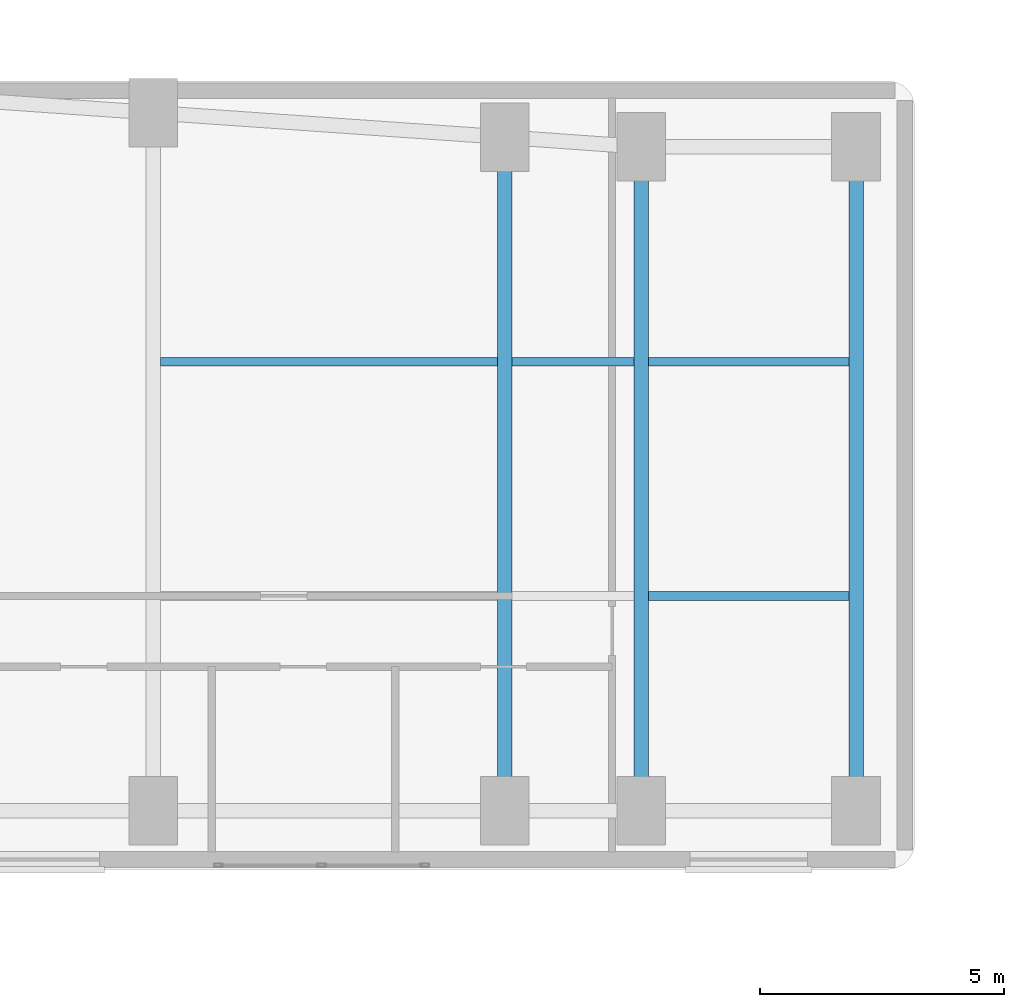
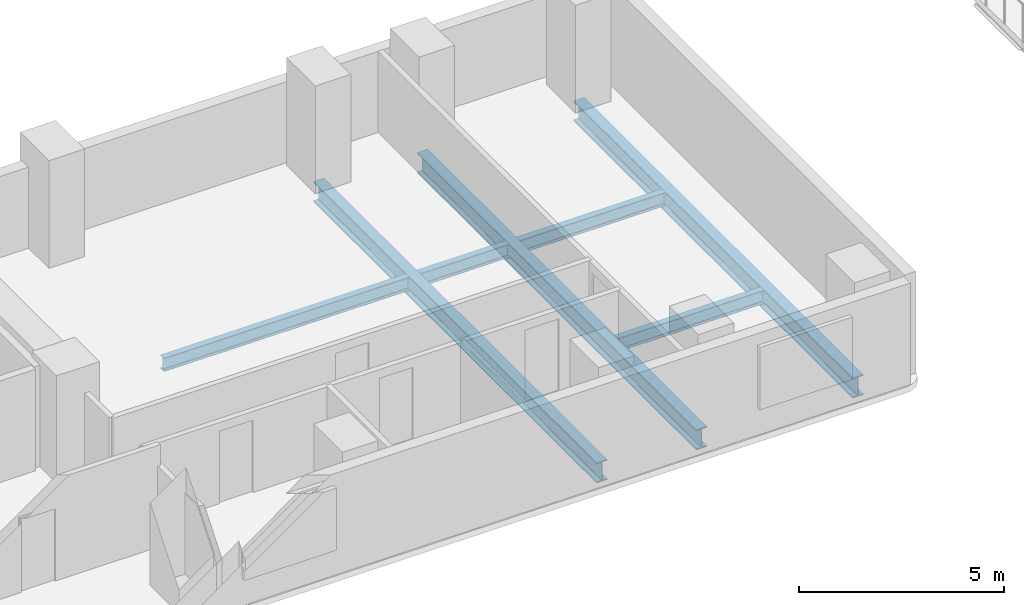
# One storey, part 7 of 17: 7 beams.
"""IFC4 building model written with IfcOpenShell, lengths in metres."""

from ifc_helpers import new_model, si_unit, direction, frame, origin, origin_2d, place, context, subcontext, project, spatial, i_section, extrude, material, material_profile, profile_set, type_object, element, save


model = new_model("IFC4")

# Units and contexts
model_context = context("Model", 3, precision=1e-05, world=origin(), true_north=direction((0.0, 1.0)))
body_context = subcontext(model_context, "Body", "Model", "MODEL_VIEW")
ifc_project = project(units=[si_unit("LENGTHUNIT", "METRE"), si_unit("AREAUNIT", "SQUARE_METRE"), si_unit("VOLUMEUNIT", "CUBIC_METRE"), si_unit("PLANEANGLEUNIT", "RADIAN"), si_unit("MASSUNIT", "GRAM", prefix="KILO")], contexts=[model_context])

# Site, building, storey
site_placement = place(None, origin())
site = spatial("IfcSite", under=ifc_project, at=site_placement, CompositionType="ELEMENT")
building_placement = place(site_placement, origin())
building = spatial("IfcBuilding", under=site, at=building_placement, Name="Kuzgunbayir Cultural Tower", CompositionType="ELEMENT")
storey_placement = place(building_placement, frame((0.0, 0.0, 50.0)))
storey = spatial("IfcBuildingStorey", under=building, at=storey_placement, Name="L13", CompositionType="ELEMENT", Elevation=50.0)

# Beams
ifc_material = material(Name="Steel S355J2", Category="steel")
ifc_material_profile_1 = material_profile(ifc_material, i_section(OverallWidth=0.300048828125, OverallDepth=0.60009765625, WebThickness=0.015380859375, FlangeThickness=0.030029296875, FilletRadius=0.027099609375, at=origin_2d()), Name="HEB 600")
ifc_profile_set_1 = profile_set([ifc_material_profile_1], Name="Steel S355J2")
beam_type_1 = type_object("IfcBeamType", Name="BM-GIR-HEB600", PredefinedType="BEAM", material=ifc_profile_set_1)
beam_1_placement = place(storey_placement, frame((38.39990234375, 27.60009765625, -0.47998046875), z_axis=(0.0, 1.0, 0.0), x_axis=(-1.0, 0.0, 0.0)))
element("IfcBeam", 1, at=beam_1_placement, inside=storey, type_object=beam_type_1, Name="L13 Wing B Cross Girder 38", PredefinedType="BEAM", context=body_context, shape_type="SweptSolid", body=[
    extrude(i_section(OverallWidth=0.300048828125, OverallDepth=0.60009765625, WebThickness=0.015380859375, FlangeThickness=0.030029296875, FilletRadius=0.027099609375, at=origin_2d()), origin(), (0.0, 0.0, 1.0), 13.7998046875),
])
for number, where, z_axis, x_axis, name in (
    (2, (41.199951171875, 27.60009765625, -0.47998046875), (0.0, 1.0, 0.0), (-1.0, 0.0, 0.0), "L13 Wing B Cross Girder 41"),
    (3, (45.60009765625, 27.60009765625, -0.47998046875), (0.0, 1.0, 0.0), (-1.0, 0.0, 0.0), "L13 Wing B Cross Girder 45"),
):
    element("IfcBeam", number, at=place(storey_placement, frame(where, z_axis=z_axis, x_axis=x_axis)), inside=storey, type_object=beam_type_1, Name=name, PredefinedType="BEAM", context=body_context, shape_type="SweptSolid", body=[
        extrude(i_section(OverallWidth=0.300048828125, OverallDepth=0.60009765625, WebThickness=0.015380859375, FlangeThickness=0.030029296875, FilletRadius=0.027099609375, at=origin_2d()), origin(), (0.0, 0.0, 1.0), 13.599853515625),
    ])
ifc_material_profile_2 = material_profile(ifc_material, i_section(OverallWidth=0.179931640625, OverallDepth=0.39990234375, WebThickness=0.008544921875, FlangeThickness=0.013427734375, FilletRadius=0.02099609375, at=origin_2d()), Name="IPE 400")
ifc_profile_set_2 = profile_set([ifc_material_profile_2], Name="Steel S355J2")
beam_type_2 = type_object("IfcBeamType", Name="BM-JST-IPE400", PredefinedType="JOIST", material=ifc_profile_set_2)
beam_2_placement = place(storey_placement, frame((31.35009765625, 36.800048828125, -0.3798828125), z_axis=(1.0, 0.0, 0.0), x_axis=(0.0, 1.0, 0.0)))
element("IfcBeam", 4, at=beam_2_placement, inside=storey, type_object=beam_type_2, Name="L13 Wing B Secondary Joist 1.2", PredefinedType="JOIST", context=body_context, shape_type="SweptSolid", body=[
    extrude(i_section(OverallWidth=0.179931640625, OverallDepth=0.39990234375, WebThickness=0.008544921875, FlangeThickness=0.013427734375, FilletRadius=0.02099609375, at=origin_2d()), origin(), (0.0, 0.0, 1.0), 6.89990234375),
])
beam_3_placement = place(storey_placement, frame((38.550048828125, 36.800048828125, -0.3798828125), z_axis=(1.0, 0.0, 0.0), x_axis=(0.0, 1.0, 0.0)))
element("IfcBeam", 5, at=beam_3_placement, inside=storey, type_object=beam_type_2, Name="L13 Wing B Secondary Joist 2.2", PredefinedType="JOIST", context=body_context, shape_type="SweptSolid", body=[
    extrude(i_section(OverallWidth=0.179931640625, OverallDepth=0.39990234375, WebThickness=0.008544921875, FlangeThickness=0.013427734375, FilletRadius=0.02099609375, at=origin_2d()), origin(), (0.0, 0.0, 1.0), 2.5),
])
for number, where, z_axis, x_axis, name in (
    (6, (41.35009765625, 32.0, -0.3798828125), (1.0, 0.0, 0.0), (0.0, 1.0, 0.0), "L13 Wing B Secondary Joist 3.1"),
    (7, (41.35009765625, 36.800048828125, -0.3798828125), (1.0, 0.0, 0.0), (0.0, 1.0, 0.0), "L13 Wing B Secondary Joist 3.2"),
):
    element("IfcBeam", number, at=place(storey_placement, frame(where, z_axis=z_axis, x_axis=x_axis)), inside=storey, type_object=beam_type_2, Name=name, PredefinedType="JOIST", context=body_context, shape_type="SweptSolid", body=[
        extrude(i_section(OverallWidth=0.179931640625, OverallDepth=0.39990234375, WebThickness=0.008544921875, FlangeThickness=0.013427734375, FilletRadius=0.02099609375, at=origin_2d()), origin(), (0.0, 0.0, 1.0), 4.099853515625),
    ])

save(model, "model.ifc")
